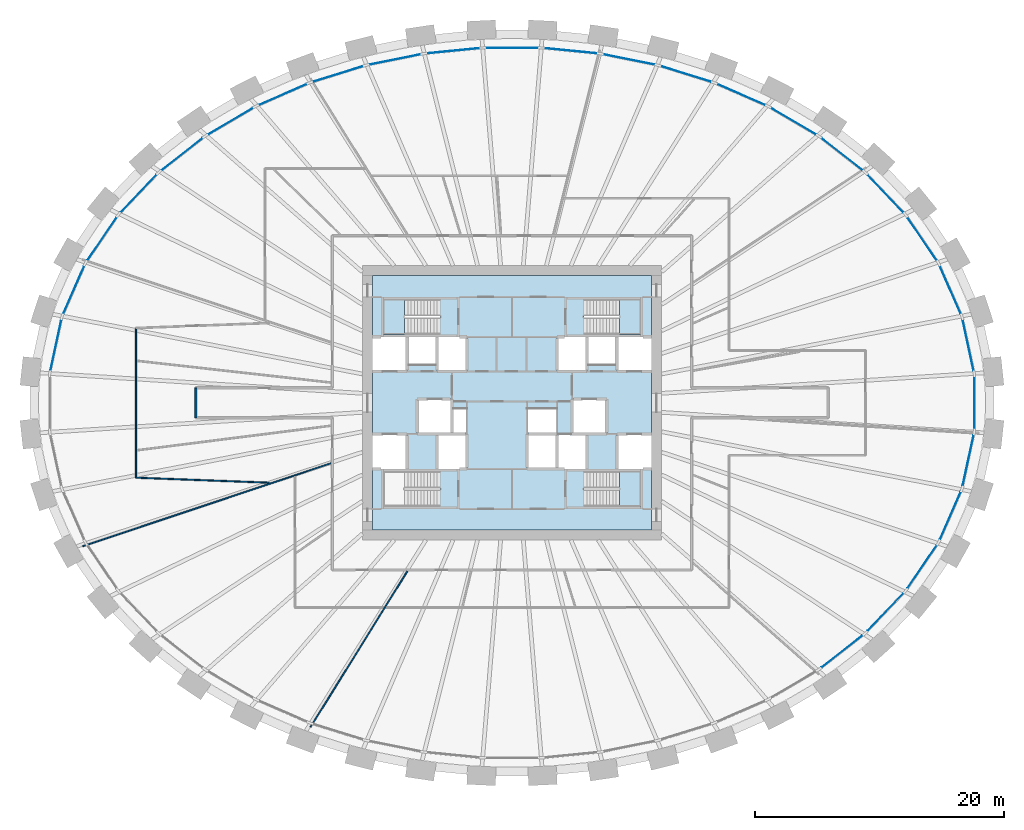
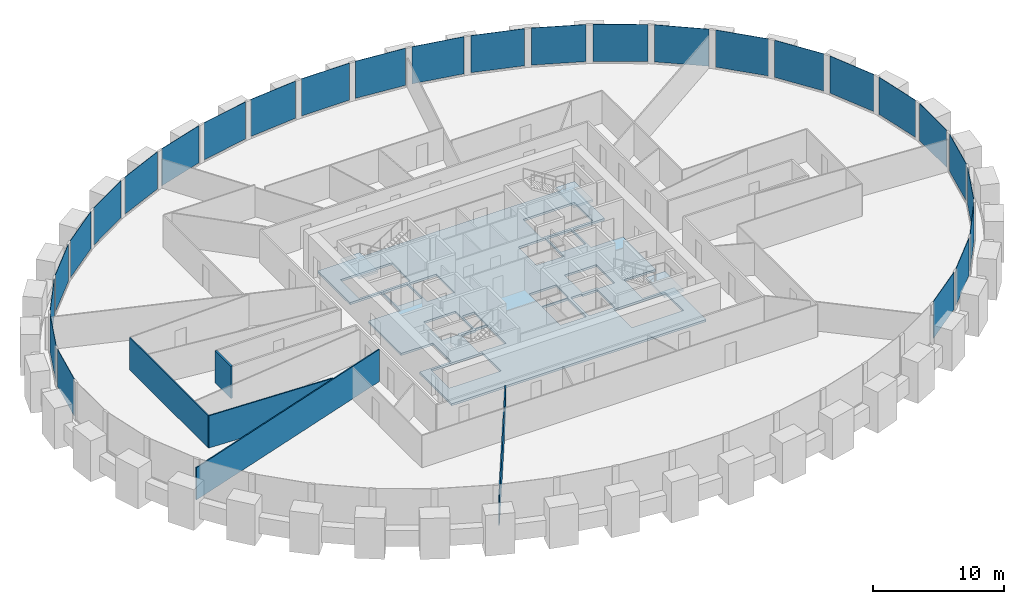
# One storey, part 5 of 11: 27 plates, 5 walls, 4 slabs, 4 elements without a shape of their own.
"""IFC4 building model written with IfcOpenShell, lengths in metres."""

from ifc_helpers import new_model, si_unit, direction, frame, frame_2d, origin, origin_2d, place, context, subcontext, project, spatial, polyline, rectangle, outline, extrude, source, transform, mapped, material, layer, layer_set, type_object, element, aggregate, save


model = new_model("IFC4")

# Units and contexts
model_context = context("Model", 3, precision=1e-05, world=origin(), true_north=direction((0.0, 1.0)))
body_context = subcontext(model_context, "Body", "Model", "MODEL_VIEW")
ifc_project = project(units=[si_unit("LENGTHUNIT", "METRE"), si_unit("AREAUNIT", "SQUARE_METRE"), si_unit("VOLUMEUNIT", "CUBIC_METRE"), si_unit("PLANEANGLEUNIT", "RADIAN"), si_unit("MASSUNIT", "GRAM", prefix="KILO")], contexts=[model_context])

# Site, building, storey
site_placement = place(None, origin())
site = spatial("IfcSite", under=ifc_project, at=site_placement, CompositionType="ELEMENT")
building_placement = place(site_placement, origin())
building = spatial("IfcBuilding", under=site, at=building_placement, Name="Embergate Tower", CompositionType="ELEMENT")
storey_placement = place(building_placement, frame((0.0, 0.0, 143.699951171875)))
storey = spatial("IfcBuildingStorey", under=building, at=storey_placement, Name="L31", CompositionType="ELEMENT", Elevation=143.699951171875)

# Curtain wall, plates
ifc_material_1 = material(Name="Aluminium and glass", Category="aluminium")
curtain_wall_type = type_object("IfcCurtainWallType", Name="Recessed office glazing", PredefinedType="NOTDEFINED", material=ifc_material_1)
curtain_wall_placement = place(storey_placement, origin())
curtain_wall = element("IfcCurtainWall", 1, at=curtain_wall_placement, inside=storey, type_object=curtain_wall_type, Name="Recessed office glazing ring", ObjectType="RECESSED OFFICE GLAZING", PredefinedType="USERDEFINED")
ifc_material_2 = material(Name="Triple glazing, low-emissivity coating", Category="glass")
ifc_layer_1 = layer(ifc_material_2, 0.035888671875)
ifc_layer_set_1 = layer_set([ifc_layer_1], Name="Triple glazing, low-emissivity coating")
plate_type = type_object("IfcPlateType", Name="Office glazing unit", PredefinedType="CURTAIN_PANEL", material=ifc_layer_set_1)
shared_shape_1 = source(origin(), body_context, "Body", "SweptSolid", [
    extrude(rectangle(XDim=4.15771484375, YDim=0.035888671875, at=origin_2d()), origin(), (0.0, 0.0, 1.0), 3.449951171875),
])
plate_1_placement = place(storey_placement, frame((36.572509765625, 4.623779296875, 0.14990234375), z_axis=(0.0, 0.0, 1.0), x_axis=(-0.210401803698, 0.977614996305, 0.0)))
plate_1 = element("IfcPlate", 2, at=plate_1_placement, type_object=plate_type, Name="CW panel 1.1", PredefinedType="CURTAIN_PANEL", context=body_context, shape_type="MappedRepresentation", body=[
    mapped(shared_shape_1, transform((0.0, 0.0, 0.0))),
])
plate_2_placement = place(storey_placement, frame((-36.572509765625, 4.623779296875, 0.14990234375), z_axis=(0.0, 0.0, 1.0), x_axis=(-0.210401803698, -0.977614996305, 0.0)))
plate_2 = element("IfcPlate", 3, at=plate_2_placement, type_object=plate_type, Name="CW panel 21.1", PredefinedType="CURTAIN_PANEL", context=body_context, shape_type="MappedRepresentation", body=[
    mapped(shared_shape_1, transform((0.0, 0.0, 0.0))),
])
plate_3_placement = place(storey_placement, frame((36.572509765625, -4.623779296875, 0.14990234375), z_axis=(0.0, 0.0, 1.0), x_axis=(0.210401803698, 0.977614996305, 0.0)))
plate_3 = element("IfcPlate", 4, at=plate_3_placement, type_object=plate_type, Name="CW panel 43.1", PredefinedType="CURTAIN_PANEL", context=body_context, shape_type="MappedRepresentation", body=[
    mapped(shared_shape_1, transform((0.0, 0.0, 0.0))),
])
shared_shape_2 = source(origin(), body_context, "Body", "SweptSolid", [
    extrude(rectangle(XDim=4.16455078125, YDim=0.035888671875, at=origin_2d()), origin(), (0.0, 0.0, 1.0), 3.449951171875),
])
plate_4_placement = place(storey_placement, frame((35.1396484375, 9.055419921875, 0.14990234375), z_axis=(0.0, 0.0, 1.0), x_axis=(-0.401660092938, 0.91578882377, 0.0)))
plate_4 = element("IfcPlate", 5, at=plate_4_placement, type_object=plate_type, Name="CW panel 2.1", PredefinedType="CURTAIN_PANEL", context=body_context, shape_type="MappedRepresentation", body=[
    mapped(shared_shape_2, transform((0.0, 0.0, 0.0))),
])
plate_5_placement = place(storey_placement, frame((-35.1396484375, 9.055419921875, 0.14990234375), z_axis=(0.0, 0.0, 1.0), x_axis=(-0.401660092938, -0.91578882377, 0.0)))
plate_5 = element("IfcPlate", 6, at=plate_5_placement, type_object=plate_type, Name="CW panel 20.1", PredefinedType="CURTAIN_PANEL", context=body_context, shape_type="MappedRepresentation", body=[
    mapped(shared_shape_2, transform((0.0, 0.0, 0.0))),
])
plate_6_placement = place(storey_placement, frame((35.1396484375, -9.055419921875, 0.14990234375), z_axis=(0.0, 0.0, 1.0), x_axis=(0.401660092938, 0.91578882377, 0.0)))
plate_6 = element("IfcPlate", 7, at=plate_6_placement, type_object=plate_type, Name="CW panel 42.1", PredefinedType="CURTAIN_PANEL", context=body_context, shape_type="MappedRepresentation", body=[
    mapped(shared_shape_2, transform((0.0, 0.0, 0.0))),
])
shared_shape_3 = source(origin(), body_context, "Body", "SweptSolid", [
    extrude(rectangle(XDim=4.173583984375, YDim=0.035888671875, at=origin_2d()), origin(), (0.0, 0.0, 1.0), 3.449951171875),
])
plate_7_placement = place(storey_placement, frame((32.879150390625, 13.14111328125, 0.14990234375), z_axis=(0.0, 0.0, 1.0), x_axis=(-0.562350401213, 0.82689904236, 0.0)))
plate_7 = element("IfcPlate", 8, at=plate_7_placement, type_object=plate_type, Name="CW panel 3.1", PredefinedType="CURTAIN_PANEL", context=body_context, shape_type="MappedRepresentation", body=[
    mapped(shared_shape_3, transform((0.0, 0.0, 0.0))),
])
plate_8_placement = place(storey_placement, frame((-32.879150390625, 13.14111328125, 0.14990234375), z_axis=(0.0, 0.0, 1.0), x_axis=(-0.562350401213, -0.82689904236, 0.0)))
plate_8 = element("IfcPlate", 9, at=plate_8_placement, type_object=plate_type, Name="CW panel 19.1", PredefinedType="CURTAIN_PANEL", context=body_context, shape_type="MappedRepresentation", body=[
    mapped(shared_shape_3, transform((0.0, 0.0, 0.0))),
])
plate_9_placement = place(storey_placement, frame((32.879150390625, -13.14111328125, 0.14990234375), z_axis=(0.0, 0.0, 1.0), x_axis=(0.562350401213, 0.82689904236, 0.0)))
plate_9 = element("IfcPlate", 10, at=plate_9_placement, type_object=plate_type, Name="CW panel 41.1", PredefinedType="CURTAIN_PANEL", context=body_context, shape_type="MappedRepresentation", body=[
    mapped(shared_shape_3, transform((0.0, 0.0, 0.0))),
])
shared_shape_4 = source(origin(), body_context, "Body", "SweptSolid", [
    extrude(rectangle(XDim=4.18212890625, YDim=0.035888671875, at=origin_2d()), origin(), (0.0, 0.0, 1.0), 3.449951171875),
])
plate_10_placement = place(storey_placement, frame((29.93701171875, 16.782958984375, 0.14990234375), z_axis=(0.0, 0.0, 1.0), x_axis=(-0.690142625854, 0.723673376586, 0.0)))
plate_10 = element("IfcPlate", 11, at=plate_10_placement, type_object=plate_type, Name="CW panel 4.1", PredefinedType="CURTAIN_PANEL", context=body_context, shape_type="MappedRepresentation", body=[
    mapped(shared_shape_4, transform((0.0, 0.0, 0.0))),
])
plate_11_placement = place(storey_placement, frame((-29.93701171875, 16.782958984375, 0.14990234375), z_axis=(0.0, 0.0, 1.0), x_axis=(-0.690142625854, -0.723673376586, 0.0)))
plate_11 = element("IfcPlate", 12, at=plate_11_placement, type_object=plate_type, Name="CW panel 18.1", PredefinedType="CURTAIN_PANEL", context=body_context, shape_type="MappedRepresentation", body=[
    mapped(shared_shape_4, transform((0.0, 0.0, 0.0))),
])
plate_12_placement = place(storey_placement, frame((29.93701171875, -16.782958984375, 0.14990234375), z_axis=(0.0, 0.0, 1.0), x_axis=(0.690142625854, 0.723673376586, 0.0)))
plate_12 = element("IfcPlate", 13, at=plate_12_placement, type_object=plate_type, Name="CW panel 40.1", PredefinedType="CURTAIN_PANEL", context=body_context, shape_type="MappedRepresentation", body=[
    mapped(shared_shape_4, transform((0.0, 0.0, 0.0))),
])
shared_shape_5 = source(origin(), body_context, "Body", "SweptSolid", [
    extrude(rectangle(XDim=4.189697265625, YDim=0.035888671875, at=origin_2d()), origin(), (0.0, 0.0, 1.0), 3.449951171875),
])
plate_13_placement = place(storey_placement, frame((26.4580078125, 19.933349609375, 0.14990234375), z_axis=(0.0, 0.0, 1.0), x_axis=(-0.788326562254, 0.615257044855, 0.0)))
plate_13 = element("IfcPlate", 14, at=plate_13_placement, type_object=plate_type, Name="CW panel 5.1", PredefinedType="CURTAIN_PANEL", context=body_context, shape_type="MappedRepresentation", body=[
    mapped(shared_shape_5, transform((0.0, 0.0, 0.0))),
])
plate_14_placement = place(storey_placement, frame((-26.4580078125, 19.933349609375, 0.14990234375), z_axis=(0.0, 0.0, 1.0), x_axis=(-0.788326562254, -0.615257044855, 0.0)))
plate_14 = element("IfcPlate", 15, at=plate_14_placement, type_object=plate_type, Name="CW panel 17.1", PredefinedType="CURTAIN_PANEL", context=body_context, shape_type="MappedRepresentation", body=[
    mapped(shared_shape_5, transform((0.0, 0.0, 0.0))),
])
plate_15_placement = place(storey_placement, frame((26.4580078125, -19.933349609375, 0.14990234375), z_axis=(0.0, 0.0, 1.0), x_axis=(0.788326562254, 0.615257044855, 0.0)))
plate_15 = element("IfcPlate", 16, at=plate_15_placement, type_object=plate_type, Name="CW panel 39.1", PredefinedType="CURTAIN_PANEL", context=body_context, shape_type="MappedRepresentation", body=[
    mapped(shared_shape_5, transform((0.0, 0.0, 0.0))),
])
shared_shape_6 = source(origin(), body_context, "Body", "SweptSolid", [
    extrude(rectangle(XDim=4.19580078125, YDim=0.035888671875, at=origin_2d()), origin(), (0.0, 0.0, 1.0), 3.449951171875),
])
plate_16_placement = place(storey_placement, frame((22.569091796875, 22.5771484375, 0.14990234375), z_axis=(0.0, 0.0, 1.0), x_axis=(-0.862057590599, 0.506810329898, 0.0)))
plate_16 = element("IfcPlate", 17, at=plate_16_placement, type_object=plate_type, Name="CW panel 6.1", PredefinedType="CURTAIN_PANEL", context=body_context, shape_type="MappedRepresentation", body=[
    mapped(shared_shape_6, transform((0.0, 0.0, 0.0))),
])
plate_17_placement = place(storey_placement, frame((-22.569091796875, 22.5771484375, 0.14990234375), z_axis=(0.0, 0.0, 1.0), x_axis=(-0.862057590599, -0.506810329898, 0.0)))
plate_17 = element("IfcPlate", 18, at=plate_17_placement, type_object=plate_type, Name="CW panel 16.1", PredefinedType="CURTAIN_PANEL", context=body_context, shape_type="MappedRepresentation", body=[
    mapped(shared_shape_6, transform((0.0, 0.0, 0.0))),
])
shared_shape_7 = source(origin(), body_context, "Body", "SweptSolid", [
    extrude(rectangle(XDim=4.2001953125, YDim=0.035888671875, at=origin_2d()), origin(), (0.0, 0.0, 1.0), 3.449951171875),
])
plate_18_placement = place(storey_placement, frame((18.3740234375, 24.717529296875, 0.14990234375), z_axis=(0.0, 0.0, 1.0), x_axis=(-0.916239008703, 0.400632099227, 0.0)))
plate_18 = element("IfcPlate", 19, at=plate_18_placement, type_object=plate_type, Name="CW panel 7.1", PredefinedType="CURTAIN_PANEL", context=body_context, shape_type="MappedRepresentation", body=[
    mapped(shared_shape_7, transform((0.0, 0.0, 0.0))),
])
plate_19_placement = place(storey_placement, frame((-18.3740234375, 24.717529296875, 0.14990234375), z_axis=(0.0, 0.0, 1.0), x_axis=(-0.916239008703, -0.400632099227, 0.0)))
plate_19 = element("IfcPlate", 20, at=plate_19_placement, type_object=plate_type, Name="CW panel 15.1", PredefinedType="CURTAIN_PANEL", context=body_context, shape_type="MappedRepresentation", body=[
    mapped(shared_shape_7, transform((0.0, 0.0, 0.0))),
])
shared_shape_8 = source(origin(), body_context, "Body", "SweptSolid", [
    extrude(rectangle(XDim=4.20361328125, YDim=0.035888671875, at=origin_2d()), origin(), (0.0, 0.0, 1.0), 3.449951171875),
])
plate_20_placement = place(storey_placement, frame((13.95654296875, 26.365478515625, 0.14990234375), z_axis=(0.0, 0.0, 1.0), x_axis=(-0.954773774021, 0.297333214496, 0.0)))
plate_20 = element("IfcPlate", 21, at=plate_20_placement, type_object=plate_type, Name="CW panel 8.1", PredefinedType="CURTAIN_PANEL", context=body_context, shape_type="MappedRepresentation", body=[
    mapped(shared_shape_8, transform((0.0, 0.0, 0.0))),
])
plate_21_placement = place(storey_placement, frame((-13.95654296875, 26.365478515625, 0.14990234375), z_axis=(0.0, 0.0, 1.0), x_axis=(-0.954773774021, -0.297333214496, 0.0)))
plate_21 = element("IfcPlate", 22, at=plate_21_placement, type_object=plate_type, Name="CW panel 14.1", PredefinedType="CURTAIN_PANEL", context=body_context, shape_type="MappedRepresentation", body=[
    mapped(shared_shape_8, transform((0.0, 0.0, 0.0))),
])
shared_shape_9 = source(origin(), body_context, "Body", "SweptSolid", [
    extrude(rectangle(XDim=4.205810546875, YDim=0.035888671875, at=origin_2d()), origin(), (0.0, 0.0, 1.0), 3.449951171875),
])
plate_22_placement = place(storey_placement, frame((9.384765625, 27.5322265625, 0.14990234375), z_axis=(0.0, 0.0, 1.0), x_axis=(-0.980476593804, 0.196635828382, 0.0)))
plate_22 = element("IfcPlate", 23, at=plate_22_placement, type_object=plate_type, Name="CW panel 9.1", PredefinedType="CURTAIN_PANEL", context=body_context, shape_type="MappedRepresentation", body=[
    mapped(shared_shape_9, transform((0.0, 0.0, 0.0))),
])
plate_23_placement = place(storey_placement, frame((-9.384765625, 27.5322265625, 0.14990234375), z_axis=(0.0, 0.0, 1.0), x_axis=(-0.980476593804, -0.196635828382, 0.0)))
plate_23 = element("IfcPlate", 24, at=plate_23_placement, type_object=plate_type, Name="CW panel 13.1", PredefinedType="CURTAIN_PANEL", context=body_context, shape_type="MappedRepresentation", body=[
    mapped(shared_shape_9, transform((0.0, 0.0, 0.0))),
])
shared_shape_10 = source(origin(), body_context, "Body", "SweptSolid", [
    extrude(rectangle(XDim=4.20703125, YDim=0.035888671875, at=origin_2d()), origin(), (0.0, 0.0, 1.0), 3.449951171875),
])
plate_24_placement = place(storey_placement, frame((4.7158203125, 28.22802734375, 0.14990234375), z_axis=(0.0, 0.0, 1.0), x_axis=(-0.995203355531, 0.09782781373, 0.0)))
plate_24 = element("IfcPlate", 25, at=plate_24_placement, type_object=plate_type, Name="CW panel 10.1", PredefinedType="CURTAIN_PANEL", context=body_context, shape_type="MappedRepresentation", body=[
    mapped(shared_shape_10, transform((0.0, 0.0, 0.0))),
])
plate_25_placement = place(storey_placement, frame((-4.7158203125, 28.22802734375, 0.14990234375), z_axis=(0.0, 0.0, 1.0), x_axis=(-0.995203355531, -0.09782781373, 0.0)))
plate_25 = element("IfcPlate", 26, at=plate_25_placement, type_object=plate_type, Name="CW panel 12.1", PredefinedType="CURTAIN_PANEL", context=body_context, shape_type="MappedRepresentation", body=[
    mapped(shared_shape_10, transform((0.0, 0.0, 0.0))),
])
shared_shape_11 = source(origin(), body_context, "Body", "SweptSolid", [
    extrude(rectangle(XDim=4.20751953125, YDim=0.035888671875, at=origin_2d()), origin(), (0.0, 0.0, 1.0), 3.449951171875),
])
plate_26_placement = place(storey_placement, frame((0.0, 28.459228515625, 0.14990234375), z_axis=(0.0, 0.0, 1.0), x_axis=(-1.0, 0.0, 0.0)))
plate_26 = element("IfcPlate", 27, at=plate_26_placement, type_object=plate_type, Name="CW panel 11.1", PredefinedType="CURTAIN_PANEL", context=body_context, shape_type="MappedRepresentation", body=[
    mapped(shared_shape_11, transform((0.0, 0.0, 0.0))),
])
shared_shape_12 = source(origin(), body_context, "Body", "SweptSolid", [
    extrude(rectangle(XDim=4.15478515625, YDim=0.035888671875, at=origin_2d()), origin(), (0.0, 0.0, 1.0), 3.449951171875),
])
plate_27_placement = place(storey_placement, frame((37.064697265625, 0.0, 0.14990234375), z_axis=(0.0, 0.0, 1.0), x_axis=(0.0, 1.0, 0.0)))
plate_27 = element("IfcPlate", 28, at=plate_27_placement, type_object=plate_type, Name="CW panel 44.1", PredefinedType="CURTAIN_PANEL", context=body_context, shape_type="MappedRepresentation", body=[
    mapped(shared_shape_12, transform((0.0, 0.0, 0.0))),
])
aggregate(curtain_wall, [plate_1, plate_4, plate_7, plate_10, plate_13, plate_16, plate_18, plate_20, plate_22, plate_24, plate_26, plate_25, plate_23, plate_21, plate_19, plate_17, plate_14, plate_11, plate_8, plate_5, plate_2, plate_15, plate_12, plate_9, plate_6, plate_3, plate_27])

# Stair, slab
ifc_material_3 = material(Name="Exit stair")
stair_type = type_object("IfcStairType", Name="Exit stair", PredefinedType="HALF_TURN_STAIR", material=ifc_material_3)
stair_1_placement = place(storey_placement, origin())
stair_1 = element("IfcStair", 29, at=stair_1_placement, inside=storey, type_object=stair_type, Name="L31 Exit stair 1", PredefinedType="HALF_TURN_STAIR")
ifc_material_4 = material(Name="Concrete C40", Category="concrete")
ifc_layer_2 = layer(ifc_material_4, 0.199951171875)
ifc_layer_set_2 = layer_set([ifc_layer_2], Name="Concrete C40")
slab_type_1 = type_object("IfcSlabType", Name="Stair landing reinforced concrete", PredefinedType="LANDING", material=ifc_layer_set_2)
shared_shape_13 = source(origin(), body_context, "Body", "SweptSolid", [
    extrude(outline(polyline([(0.0, 0.0), (1.68994140625, 0.0), (1.68994140625, 2.800048828125), (0.0, 2.800048828125), (0.0, 0.0)])), origin(), (0.0, 0.0, 1.0), 0.199951171875),
])
slab_1_placement = place(storey_placement, frame((-10.300048828125, 5.5, 1.75)))
slab_1 = element("IfcSlab", 30, at=slab_1_placement, type_object=slab_type_1, Name="ST1 landing 1", PredefinedType="LANDING", context=body_context, shape_type="MappedRepresentation", body=[
    mapped(shared_shape_13, transform((0.0, 0.0, 0.0))),
])
aggregate(stair_1, [slab_1])

stair_2_placement = place(storey_placement, origin())
stair_2 = element("IfcStair", 31, at=stair_2_placement, inside=storey, type_object=stair_type, Name="L31 Exit stair 2", PredefinedType="HALF_TURN_STAIR")
slab_2_placement = place(storey_placement, frame((8.610107421875, 5.5, 1.75)))
slab_2 = element("IfcSlab", 32, at=slab_2_placement, type_object=slab_type_1, Name="ST2 landing 1", PredefinedType="LANDING", context=body_context, shape_type="MappedRepresentation", body=[
    mapped(shared_shape_13, transform((0.0, 0.0, 0.0))),
])
aggregate(stair_2, [slab_2])

stair_3_placement = place(storey_placement, origin())
stair_3 = element("IfcStair", 33, at=stair_3_placement, inside=storey, type_object=stair_type, Name="L31 Exit stair 4", PredefinedType="HALF_TURN_STAIR")
slab_3_placement = place(storey_placement, frame((8.610107421875, -8.300048828125, 1.75)))
slab_3 = element("IfcSlab", 34, at=slab_3_placement, type_object=slab_type_1, Name="ST4 landing 1", PredefinedType="LANDING", context=body_context, shape_type="MappedRepresentation", body=[
    mapped(shared_shape_13, transform((0.0, 0.0, 0.0))),
])
aggregate(stair_3, [slab_3])

# Slab
ifc_layer_3 = layer(ifc_material_4, 0.199951171875)
ifc_layer_set_3 = layer_set([ifc_layer_3], Name="Concrete C40")
slab_type_2 = type_object("IfcSlabType", Name="Core floor slab 200 reinforced concrete", PredefinedType="FLOOR", material=ifc_layer_set_3)
shared_shape_14 = source(origin(), body_context, "Body", "SweptSolid", [
    extrude(outline(polyline([(0.0, 0.0), (22.39990234375, 0.0), (22.39990234375, 4.89990234375), (19.599853515625, 4.89990234375), (19.599853515625, 7.699951171875), (22.39990234375, 7.699951171875), (22.39990234375, 12.699951171875), (19.599853515625, 12.699951171875), (19.599853515625, 15.5), (22.39990234375, 15.5), (22.39990234375, 20.39990234375), (0.0, 20.39990234375), (0.0, 15.5), (2.800048828125, 15.5), (2.800048828125, 12.699951171875), (0.0, 12.699951171875), (0.0, 7.699951171875), (2.800048828125, 7.699951171875), (2.800048828125, 4.89990234375), (0.0, 4.89990234375), (0.0, 0.0)]), holes=[polyline([(0.89990234375, 1.89990234375), (0.89990234375, 4.699951171875), (5.43994140625, 4.699951171875), (5.43994140625, 1.89990234375), (0.89990234375, 1.89990234375)]), polyline([(16.9599609375, 1.89990234375), (16.9599609375, 4.699951171875), (21.5, 4.699951171875), (21.5, 1.89990234375), (16.9599609375, 1.89990234375)]), polyline([(5.199951171875, 4.89990234375), (5.199951171875, 7.574951171875), (6.52490234375, 7.574951171875), (6.52490234375, 7.699951171875), (7.599853515625, 7.699951171875), (7.599853515625, 4.89990234375), (5.199951171875, 4.89990234375)]), polyline([(12.39990234375, 4.89990234375), (12.39990234375, 7.699951171875), (14.675048828125, 7.699951171875), (14.675048828125, 4.89990234375), (12.39990234375, 4.89990234375)]), polyline([(14.925048828125, 4.89990234375), (14.925048828125, 7.699951171875), (15.875, 7.699951171875), (15.875, 7.574951171875), (17.199951171875, 7.574951171875), (17.199951171875, 4.89990234375), (14.925048828125, 4.89990234375)]), polyline([(3.599853515625, 7.699951171875), (3.599853515625, 10.5), (6.39990234375, 10.5), (6.39990234375, 7.824951171875), (5.074951171875, 7.824951171875), (5.074951171875, 7.699951171875), (3.599853515625, 7.699951171875)]), polyline([(17.324951171875, 7.699951171875), (17.324951171875, 7.824951171875), (16.0, 7.824951171875), (16.0, 10.5), (18.800048828125, 10.5), (18.800048828125, 7.699951171875), (17.324951171875, 7.699951171875)]), polyline([(6.52490234375, 7.824951171875), (6.52490234375, 9.699951171875), (7.599853515625, 9.699951171875), (7.599853515625, 7.824951171875), (6.52490234375, 7.824951171875)]), polyline([(12.39990234375, 7.824951171875), (12.39990234375, 9.699951171875), (14.800048828125, 9.699951171875), (14.800048828125, 7.824951171875), (14.675048828125, 7.824951171875), (12.39990234375, 7.824951171875)]), polyline([(5.199951171875, 12.699951171875), (5.199951171875, 15.5), (7.599853515625, 15.5), (7.599853515625, 12.699951171875), (5.199951171875, 12.699951171875)]), polyline([(14.800048828125, 12.699951171875), (14.800048828125, 15.5), (17.199951171875, 15.5), (17.199951171875, 12.699951171875), (14.800048828125, 12.699951171875)]), polyline([(2.925048828125, 13.300048828125), (2.925048828125, 15.5), (5.074951171875, 15.5), (5.074951171875, 13.300048828125), (2.925048828125, 13.300048828125)]), polyline([(17.324951171875, 13.300048828125), (17.324951171875, 15.5), (19.474853515625, 15.5), (19.474853515625, 13.300048828125), (17.324951171875, 13.300048828125)]), polyline([(0.89990234375, 15.699951171875), (0.89990234375, 18.5), (5.43994140625, 18.5), (5.43994140625, 15.699951171875), (0.89990234375, 15.699951171875)]), polyline([(16.9599609375, 15.699951171875), (16.9599609375, 18.5), (21.5, 18.5), (21.5, 15.699951171875), (16.9599609375, 15.699951171875)])]), origin(), (0.0, 0.0, 1.0), 0.199951171875),
])
slab_4_placement = place(storey_placement, frame((-11.199951171875, -10.199951171875, -0.199951171875)))
element("IfcSlab", 35, at=slab_4_placement, inside=storey, type_object=slab_type_2, Name="Core floor slab", PredefinedType="FLOOR", context=body_context, shape_type="MappedRepresentation", body=[
    mapped(shared_shape_14, transform((0.0, 0.0, 0.0))),
])

# Walls
ifc_material_5 = material(Name="Corridor wall dry-lined 150")
ifc_layer_4 = layer(ifc_material_5, 0.14990234375)
ifc_layer_set_4 = layer_set([ifc_layer_4], Name="Corridor wall dry-lined 150")
wall_type_1 = type_object("IfcWallType", Name="Corridor wall dry-lined 150", PredefinedType="PARTITIONING", material=ifc_layer_set_4)
shared_shape_15 = source(origin(), body_context, "Body", "SweptSolid", [
    extrude(rectangle(XDim=2.39990234375, YDim=0.14990234375, at=frame_2d((1.199951171875, 0.0))), origin(), (0.0, 0.0, 1.0), 3.0),
])
wall_1_placement = place(storey_placement, frame((-25.35009765625, -1.199951171875, 0.0), z_axis=(0.0, 0.0, 1.0), x_axis=(0.0, 1.0, 0.0)))
element("IfcWall", 36, at=wall_1_placement, inside=storey, type_object=wall_type_1, Name="IP-2 wall", PredefinedType="PARTITIONING", context=body_context, shape_type="MappedRepresentation", body=[
    mapped(shared_shape_15, transform((0.0, 0.0, 0.0))),
])
ifc_material_6 = material(Name="Partition dry-lined 100")
ifc_layer_5 = layer(ifc_material_6, 0.10009765625)
ifc_layer_set_5 = layer_set([ifc_layer_5], Name="Partition dry-lined 100")
wall_type_2 = type_object("IfcWallType", Name="Partition dry-lined 100", PredefinedType="PARTITIONING", material=ifc_layer_set_5)
shared_shape_16 = source(origin(), body_context, "Body", "SweptSolid", [
    extrude(rectangle(XDim=21.021484375, YDim=0.10009765625, at=frame_2d((10.5107421875, 0.0))), origin(), (0.0, 0.0, 1.0), 3.0),
])
wall_2_placement = place(storey_placement, frame((-34.429931640625, -11.4990234375, 0.0), z_axis=(0.0, 0.0, 1.0), x_axis=(0.948503129664, 0.316767758805, 0.0)))
element("IfcWall", 37, at=wall_2_placement, inside=storey, type_object=wall_type_2, Name="IP-1 wall", PredefinedType="PARTITIONING", context=body_context, shape_type="MappedRepresentation", body=[
    mapped(shared_shape_16, transform((0.0, 0.0, 0.0))),
])
shared_shape_17 = source(origin(), body_context, "Body", "SweptSolid", [
    extrude(rectangle(XDim=14.712158203125, YDim=0.10009765625, at=frame_2d((7.35595703125, 0.0))), origin(), (0.0, 0.0, 1.0), 2.699951171875),
])
wall_3_placement = place(storey_placement, frame((-16.154052734375, -25.9970703125, 0.0), z_axis=(0.0, 0.0, 1.0), x_axis=(0.527801481892, 0.849367762346, 0.0)))
element("IfcWall", 38, at=wall_3_placement, inside=storey, type_object=wall_type_2, Name="IP-1 wall", PredefinedType="PARTITIONING", context=body_context, shape_type="MappedRepresentation", body=[
    mapped(shared_shape_17, transform((0.0, 0.0, 0.0))),
])
shared_shape_18 = source(origin(), body_context, "Body", "SweptSolid", [
    extrude(rectangle(XDim=12.0, YDim=0.10009765625, at=frame_2d((6.0, 0.0))), origin(), (0.0, 0.0, 1.0), 3.0),
])
wall_4_placement = place(storey_placement, frame((-30.14990234375, -6.0, 0.0), z_axis=(0.0, 0.0, 1.0), x_axis=(0.0, 1.0, 0.0)))
element("IfcWall", 39, at=wall_4_placement, inside=storey, type_object=wall_type_2, Name="IP-1 wall", PredefinedType="PARTITIONING", context=body_context, shape_type="MappedRepresentation", body=[
    mapped(shared_shape_18, transform((0.0, 0.0, 0.0))),
])
shared_shape_19 = source(origin(), body_context, "Body", "SweptSolid", [
    extrude(rectangle(XDim=10.682373046875, YDim=0.10009765625, at=frame_2d((5.34130859375, 0.0))), origin(), (0.0, 0.0, 1.0), 3.0),
])
wall_5_placement = place(storey_placement, frame((-19.47509765625, -6.402099609375, 0.0), z_axis=(0.0, 0.0, 1.0), x_axis=(-0.999291311197, 0.037641404939, 0.0)))
element("IfcWall", 40, at=wall_5_placement, inside=storey, type_object=wall_type_2, Name="IP-1 wall", PredefinedType="PARTITIONING", context=body_context, shape_type="MappedRepresentation", body=[
    mapped(shared_shape_19, transform((0.0, 0.0, 0.0))),
])

save(model, "model.ifc")
